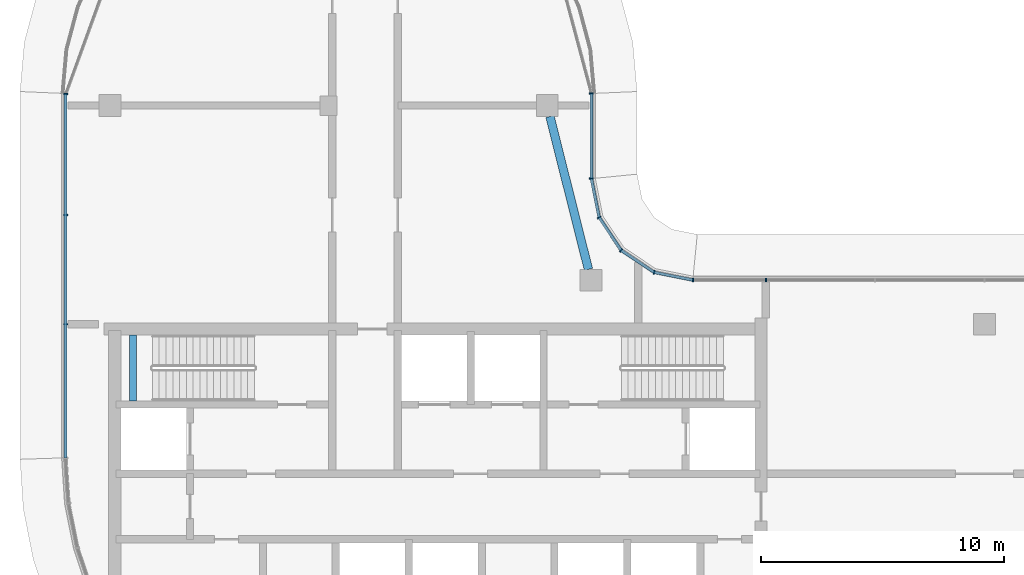
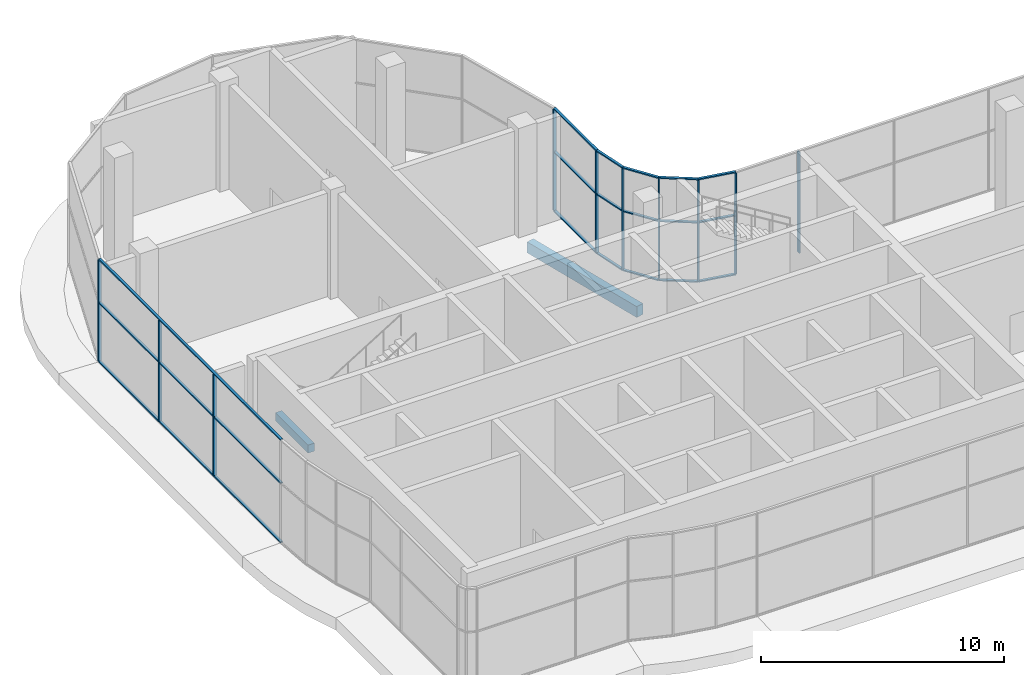
# One storey, part 3 of 23: 28 members, 2 beams, 4 elements without a shape of their own.
"""IFC4 building model written with IfcOpenShell, lengths in metres."""

import ifcopenshell
import ifcopenshell.guid

model = None  # the IFC model being written
_history = None  # IfcOwnerHistory: only IFC2X3 demands one
_inside = {}  # id of a spatial element -> (the spatial element, [elements in it])
_under = {}  # id of a project, library or spatial element -> (it, [spatial elements below it])
_declared = {}  # id of a project -> (the project, [libraries it declares])
_typed = {}  # id of a type object -> (the type object, [elements of that type])
_made_of = {}  # id of a material, layer set ... -> (it, [elements and type objects made of it])


def new_model(schema):
    """Start an empty IFC model of exactly this schema.

    Asked for "IFC4X3", IfcOpenShell would pick the latest addendum, in which some entities
    have other attributes; the version numbers below select the first issue.
    IFC2X3 requires an IfcOwnerHistory on every rooted entity: one is made here for all.
    """
    global model, _history
    if schema == "IFC4X3":
        model = ifcopenshell.file(schema_version=(4, 3, 0, 0))
    else:
        model = ifcopenshell.file(schema=schema)
    _inside.clear()
    _under.clear()
    _declared.clear()
    _typed.clear()
    _made_of.clear()
    _history = None
    if model.schema == "IFC2X3":
        org = make("IfcOrganization", Name="unknown")
        user = make(
            "IfcPersonAndOrganization",
            ThePerson=make("IfcPerson", FamilyName="unknown"),
            TheOrganization=org,
        )
        app = make(
            "IfcApplication",
            ApplicationDeveloper=org,
            Version="unknown",
            ApplicationFullName="unknown",
            ApplicationIdentifier="unknown",
        )
        _history = make(
            "IfcOwnerHistory",
            OwningUser=user,
            OwningApplication=app,
            ChangeAction="ADDED",
            CreationDate=0,
        )
    return model


def make(cls, **values):
    """One entity of the class cls with the attributes given. An attribute that is None is left unset."""
    return model.create_entity(
        cls, **{name: value for name, value in values.items() if value is not None}
    )


def rooted(cls, **values):
    """An entity with a GlobalId (a new one), such as an element, a storey or a relation."""
    return make(cls, GlobalId=ifcopenshell.guid.new(), OwnerHistory=_history, **values)


def si_unit(unit_type, name, prefix=None):
    """IfcSIUnit, for example si_unit("LENGTHUNIT", "METRE", prefix="MILLI")."""
    return make("IfcSIUnit", UnitType=unit_type, Prefix=prefix, Name=name)


def assignment(units):
    """IfcUnitAssignment: the units of a project."""
    return None if units is None else make("IfcUnitAssignment", Units=units)


def point(xyz):
    """IfcCartesianPoint."""
    return None if xyz is None else make("IfcCartesianPoint", Coordinates=xyz)


def direction(xyz):
    """IfcDirection."""
    return None if xyz is None else make("IfcDirection", DirectionRatios=xyz)


def frame(location, z_axis=None, x_axis=None):
    """IfcAxis2Placement3D, a coordinate frame: its origin and axes. An axis left out is left unset."""
    return make(
        "IfcAxis2Placement3D",
        Location=point(location),
        Axis=direction(z_axis),
        RefDirection=direction(x_axis),
    )


def frame_2d(location, x_axis=None):
    """IfcAxis2Placement2D, a coordinate frame in the plane: its origin and x axis."""
    return make(
        "IfcAxis2Placement2D", Location=point(location), RefDirection=direction(x_axis)
    )


def origin():
    """The frame at (0, 0, 0) with its axes left unset."""
    return frame((0.0, 0.0, 0.0))


def origin_2d():
    """The frame at (0, 0) in the plane with its x axis left unset."""
    return frame_2d((0.0, 0.0))


def place(relative_to, where):
    """IfcLocalPlacement: puts the frame where relative to a parent placement (None: the world)."""
    return make(
        "IfcLocalPlacement", PlacementRelTo=relative_to, RelativePlacement=where
    )


def context(
    kind, dimensions, precision=None, world=None, true_north=None, identifier=None
):
    """IfcGeometricRepresentationContext, for example the 3D "Model" context."""
    return make(
        "IfcGeometricRepresentationContext",
        ContextIdentifier=identifier,
        ContextType=kind,
        CoordinateSpaceDimension=dimensions,
        Precision=precision,
        WorldCoordinateSystem=world,
        TrueNorth=true_north,
    )


def subcontext(parent, identifier, kind, view, scale=None):
    """IfcGeometricRepresentationSubContext, for example "Body" below "Model"."""
    return make(
        "IfcGeometricRepresentationSubContext",
        ContextIdentifier=identifier,
        ContextType=kind,
        ParentContext=parent,
        TargetScale=scale,
        TargetView=view,
    )


def project(units=None, contexts=None):
    """IfcProject with its units and contexts."""
    return rooted(
        "IfcProject",
        Name="project",
        RepresentationContexts=contexts,
        UnitsInContext=assignment(units),
    )


def spatial(cls, under=None, at=None, **own):
    """A site, building, storey or space (cls), placed at a placement, below another one or the project."""
    s = rooted(cls, ObjectPlacement=at, **own)
    if under is not None:
        _under.setdefault(under.id(), (under, []))[1].append(s)
    return s


def profile(cls, at=None, kind="AREA", **sizes):
    """A parametric profile (cls). Its sizes go by their IFC names, for example OverallWidth=200.0."""
    return make(cls, ProfileType=kind, Position=at, **sizes)


def rectangle(**sizes):
    """IfcRectangleProfileDef."""
    return profile("IfcRectangleProfileDef", **sizes)


def extrude(swept, where, along, depth):
    """IfcExtrudedAreaSolid: the profile swept, set in the frame where, extruded along a direction by depth."""
    return make(
        "IfcExtrudedAreaSolid",
        SweptArea=swept,
        Position=where,
        ExtrudedDirection=direction(along),
        Depth=depth,
    )


def shape(context_of_items, identifier, shape_type, items):
    """IfcShapeRepresentation: the items that make up one representation, for example the "Body"."""
    return make(
        "IfcShapeRepresentation",
        ContextOfItems=context_of_items,
        RepresentationIdentifier=identifier,
        RepresentationType=shape_type,
        Items=items,
    )


def material(Name=None, Category=None):
    """IfcMaterial."""
    return make("IfcMaterial", Name=Name, Category=Category)


def material_profile(
    of_material, cross_section, Name=None, Category=None, Priority=None
):
    """IfcMaterialProfile: a cross section and its material."""
    return make(
        "IfcMaterialProfile",
        Name=Name,
        Material=of_material,
        Profile=cross_section,
        Priority=Priority,
        Category=Category,
    )


def profile_set(profiles, Name=None, composite=None):
    """IfcMaterialProfileSet."""
    return make(
        "IfcMaterialProfileSet",
        Name=Name,
        MaterialProfiles=profiles,
        CompositeProfile=composite,
    )


def made_of(thing, what):
    """Note that an element or type object is made of a material, layer set ...; save() writes the relation."""
    if what is not None:
        _made_of.setdefault(what.id(), (what, []))[1].append(thing)
    return thing


def type_object(cls, material=None, **own):
    """A type object (cls), such as IfcWallType, which elements share."""
    return made_of(rooted(cls, **own), material)


def element(
    cls,
    number,
    at=None,
    inside=None,
    cuts=None,
    type_object=None,
    material=None,
    context=None,
    identifier="Body",
    shape_type=None,
    held_by="IfcProductDefinitionShape",
    body=None,
    shapes=None,
    **own,
):
    """One element of the class cls, such as IfcWall. Its Tag is "e" and its number.

    at: its placement. inside: the storey or other place that contains it. cuts: it is an
    opening in that element (IfcRelVoidsElement). A single representation is given by context,
    identifier, shape_type and body (its items); several are given by shapes. held_by: the class
    of the entity that holds the representations. save() writes the other relations.
    """
    e = rooted(cls, Tag="e%d" % number, ObjectPlacement=at, **own)
    if body is not None:
        shapes = [shape(context, identifier, shape_type, body)]
    if shapes is not None:
        e.Representation = make(held_by, Representations=shapes)
    if inside is not None:
        _inside.setdefault(inside.id(), (inside, []))[1].append(e)
    if cuts is not None:
        rooted(
            "IfcRelVoidsElement", RelatingBuildingElement=cuts, RelatedOpeningElement=e
        )
    if type_object is not None:
        _typed.setdefault(type_object.id(), (type_object, []))[1].append(e)
    return made_of(e, material)


def aggregate(whole, parts):
    """IfcRelAggregates: a whole, such as a stair, and the parts it consists of."""
    return rooted("IfcRelAggregates", RelatingObject=whole, RelatedObjects=parts)


def save(model, path):
    """Write the relations noted so far, then the file.

    IfcRelAggregates (storeys below a building ...), IfcRelContainedInSpatialStructure (elements
    in a storey), IfcRelDefinesByType, IfcRelAssociatesMaterial and IfcRelDeclares: one each for
    every whole, place, type object, material and project.
    """
    for whole, parts in _under.values():
        aggregate(whole, parts)
    for where, things in _inside.values():
        rooted(
            "IfcRelContainedInSpatialStructure",
            RelatedElements=things,
            RelatingStructure=where,
        )
    for kind, things in _typed.values():
        rooted("IfcRelDefinesByType", RelatedObjects=things, RelatingType=kind)
    for what, things in _made_of.values():
        rooted("IfcRelAssociatesMaterial", RelatedObjects=things, RelatingMaterial=what)
    for by, libraries in _declared.values():
        rooted("IfcRelDeclares", RelatingContext=by, RelatedDefinitions=libraries)
    model.write(path)


model = new_model("IFC4")

# Units and contexts
model_context = context("Model", 3, precision=1e-05, world=origin(), true_north=direction((0.0, 1.0)))
body_context = subcontext(model_context, "Body", "Model", "MODEL_VIEW")
ifc_project = project(units=[si_unit("LENGTHUNIT", "METRE"), si_unit("AREAUNIT", "SQUARE_METRE"), si_unit("VOLUMEUNIT", "CUBIC_METRE"), si_unit("PLANEANGLEUNIT", "RADIAN"), si_unit("MASSUNIT", "GRAM", prefix="KILO")], contexts=[model_context])

# Site, building, storey
site_placement = place(None, origin())
site = spatial("IfcSite", under=ifc_project, at=site_placement, CompositionType="ELEMENT")
building_placement = place(site_placement, origin())
building = spatial("IfcBuilding", under=site, at=building_placement, Name="Ogive Portal Towers", CompositionType="ELEMENT")
storey_placement = place(building_placement, frame((0.0, 0.0, 249.39990234375)))
storey = spatial("IfcBuildingStorey", under=building, at=storey_placement, Name="L62", CompositionType="ELEMENT", Elevation=249.39990234375)

# Beam
ifc_material_1 = material(Name="Concrete C40/50", Category="concrete")
ifc_material_profile_1 = material_profile(ifc_material_1, rectangle(XDim=0.300048828125, YDim=0.39990234375, at=origin_2d()), Name="RC 300x400")
ifc_profile_set_1 = profile_set([ifc_material_profile_1], Name="Concrete C40/50")
beam_type_1 = type_object("IfcBeamType", Name="BEAM RC 300x400", PredefinedType="BEAM", material=ifc_profile_set_1)
beam_1_placement = place(storey_placement, frame((32.449951171875, 36.35009765625, 2.35009765625), z_axis=(0.0, 1.0, 0.0), x_axis=(-1.0, 0.0, 0.0)))
element("IfcBeam", 1, at=beam_1_placement, inside=storey, type_object=beam_type_1, Name="Landing beam L62", PredefinedType="BEAM", context=body_context, shape_type="SweptSolid", body=[
    extrude(rectangle(XDim=0.300048828125, YDim=0.39990234375, at=origin_2d()), origin(), (0.0, 0.0, 1.0), 2.699951171875),
])

# Curtain wall, members
ifc_material_2 = material(Name="Glass, clear low-iron insulated glazing", Category="glass")
curtain_wall_type = type_object("IfcCurtainWallType", Name="CW OBSERVATION WALL", PredefinedType="NOTDEFINED", material=ifc_material_2)
curtain_wall_1_placement = place(storey_placement, origin())
curtain_wall_1 = element("IfcCurtainWall", 2, at=curtain_wall_1_placement, inside=storey, type_object=curtain_wall_type, Name="A:L62:f13:cw0", PredefinedType="NOTDEFINED")
ifc_material_3 = material(Name="Aluminium 6063 anodised", Category="aluminium")
ifc_material_profile_2 = material_profile(ifc_material_3, rectangle(XDim=0.159912109375, YDim=0.06005859375, at=origin_2d()), Name="AL 60x160")
ifc_profile_set_2 = profile_set([ifc_material_profile_2], Name="Aluminium 6063 anodised")
member_type_1 = type_object("IfcMemberType", Name="CW MULLION 60x160", PredefinedType="MULLION", material=ifc_profile_set_2)
member_1_placement = place(storey_placement, frame((58.5, 41.320068359375, 0.06005859375), z_axis=(0.0, 0.0, 1.0), x_axis=(0.0, -1.0, 0.0)))
member_1 = element("IfcMember", 3, at=member_1_placement, type_object=member_type_1, Name="mullion", PredefinedType="MULLION", context=body_context, shape_type="SweptSolid", body=[
    extrude(rectangle(XDim=0.159912109375, YDim=0.06005859375, at=origin_2d()), origin(), (0.0, 0.0, 1.0), 5.080078125),
])
member_2_placement = place(storey_placement, frame((55.4921875, 41.320068359375, 0.06005859375), z_axis=(0.0, 0.0, 1.0), x_axis=(0.0, -1.0, 0.0)))
member_2 = element("IfcMember", 4, at=member_2_placement, type_object=member_type_1, Name="mullion", PredefinedType="MULLION", context=body_context, shape_type="SweptSolid", body=[
    extrude(rectangle(XDim=0.159912109375, YDim=0.06005859375, at=origin_2d()), origin(), (0.0, 0.0, 1.0), 5.080078125),
])
aggregate(curtain_wall_1, [member_1, member_2])

curtain_wall_2_placement = place(storey_placement, origin())
curtain_wall_2 = element("IfcCurtainWall", 5, at=curtain_wall_2_placement, inside=storey, type_object=curtain_wall_type, Name="A:L62:f18:cw0", PredefinedType="NOTDEFINED")
member_3_placement = place(storey_placement, frame((51.320068359375, 45.4921875, 0.06005859375), z_axis=(0.0, 0.0, 1.0), x_axis=(-1.0, 0.0, 0.0)))
member_3 = element("IfcMember", 6, at=member_3_placement, type_object=member_type_1, Name="mullion", PredefinedType="MULLION", context=body_context, shape_type="SweptSolid", body=[
    extrude(rectangle(XDim=0.159912109375, YDim=0.06005859375, at=origin_2d()), origin(), (0.0, 0.0, 1.0), 5.080078125),
])
member_4_placement = place(storey_placement, frame((51.320068359375, 48.989501953125, 0.06005859375), z_axis=(0.0, 0.0, 1.0), x_axis=(-1.0, 0.0, 0.0)))
member_4 = element("IfcMember", 7, at=member_4_placement, type_object=member_type_1, Name="mullion", PredefinedType="MULLION", context=body_context, shape_type="SweptSolid", body=[
    extrude(rectangle(XDim=0.159912109375, YDim=0.06005859375, at=origin_2d()), origin(), (0.0, 0.0, 1.0), 5.080078125),
])

curtain_wall_3_placement = place(storey_placement, origin())
curtain_wall_3 = element("IfcCurtainWall", 8, at=curtain_wall_3_placement, inside=storey, type_object=curtain_wall_type, Name="A:L62:f25:cw0", PredefinedType="NOTDEFINED")
member_5_placement = place(storey_placement, frame((29.679931640625, 48.98583984375, 0.06005859375), z_axis=(0.0, 0.0, 1.0), x_axis=(1.0, 0.0, 0.0)))
member_5 = element("IfcMember", 9, at=member_5_placement, type_object=member_type_1, Name="mullion", PredefinedType="MULLION", context=body_context, shape_type="SweptSolid", body=[
    extrude(rectangle(XDim=0.159912109375, YDim=0.06005859375, at=origin_2d()), origin(), (0.0, 0.0, 1.0), 5.080078125),
])
member_6_placement = place(storey_placement, frame((29.679931640625, 44.0, 0.06005859375), z_axis=(0.0, 0.0, 1.0), x_axis=(1.0, 0.0, 0.0)))
member_6 = element("IfcMember", 10, at=member_6_placement, type_object=member_type_1, Name="mullion", PredefinedType="MULLION", context=body_context, shape_type="SweptSolid", body=[
    extrude(rectangle(XDim=0.159912109375, YDim=0.06005859375, at=origin_2d()), origin(), (0.0, 0.0, 1.0), 5.080078125),
])
member_7_placement = place(storey_placement, frame((29.679931640625, 39.5, 0.06005859375), z_axis=(0.0, 0.0, 1.0), x_axis=(1.0, 0.0, 0.0)))
member_7 = element("IfcMember", 11, at=member_7_placement, type_object=member_type_1, Name="mullion", PredefinedType="MULLION", context=body_context, shape_type="SweptSolid", body=[
    extrude(rectangle(XDim=0.159912109375, YDim=0.06005859375, at=origin_2d()), origin(), (0.0, 0.0, 1.0), 5.080078125),
])

curtain_wall_4_placement = place(storey_placement, origin())
curtain_wall_4 = element("IfcCurtainWall", 12, at=curtain_wall_4_placement, inside=storey, type_object=curtain_wall_type, Name="A:L62:f14:cwa", PredefinedType="NOTDEFINED")
member_8_placement = place(storey_placement, frame((53.89990234375, 41.63671875, 0.06005859375), z_axis=(0.0, 0.0, 1.0), x_axis=(-0.195090322016, -0.980785280403, 0.0)))
member_8 = element("IfcMember", 13, at=member_8_placement, type_object=member_type_1, Name="mullion", PredefinedType="MULLION", context=body_context, shape_type="SweptSolid", body=[
    extrude(rectangle(XDim=0.159912109375, YDim=0.06005859375, at=origin_2d()), origin(), (0.0, 0.0, 1.0), 5.080078125),
])
member_9_placement = place(storey_placement, frame((52.543212890625, 42.543212890625, 0.06005859375), z_axis=(0.0, 0.0, 1.0), x_axis=(-0.55557023302, -0.831469612303, 0.0)))
member_9 = element("IfcMember", 14, at=member_9_placement, type_object=member_type_1, Name="mullion", PredefinedType="MULLION", context=body_context, shape_type="SweptSolid", body=[
    extrude(rectangle(XDim=0.159912109375, YDim=0.06005859375, at=origin_2d()), origin(), (0.0, 0.0, 1.0), 5.080078125),
])
member_10_placement = place(storey_placement, frame((51.63671875, 43.89990234375, 0.06005859375), z_axis=(0.0, 0.0, 1.0), x_axis=(-0.831469612303, -0.55557023302, 0.0)))
member_10 = element("IfcMember", 15, at=member_10_placement, type_object=member_type_1, Name="mullion", PredefinedType="MULLION", context=body_context, shape_type="SweptSolid", body=[
    extrude(rectangle(XDim=0.159912109375, YDim=0.06005859375, at=origin_2d()), origin(), (0.0, 0.0, 1.0), 5.080078125),
])

# Member
ifc_material_profile_3 = material_profile(ifc_material_3, rectangle(XDim=0.1201171875, YDim=0.06005859375, at=origin_2d()), Name="AL 120x60")
ifc_profile_set_3 = profile_set([ifc_material_profile_3], Name="Aluminium 6063 anodised")
member_type_2 = type_object("IfcMemberType", Name="CW TRANSOM 60x120", PredefinedType="USERDEFINED", material=ifc_profile_set_3)
member_11_placement = place(storey_placement, frame((51.320068359375, 45.4921875, 0.030029296875), z_axis=(0.0, 1.0, 0.0), x_axis=(-1.0, 0.0, 0.0)))
member_11 = element("IfcMember", 16, at=member_11_placement, type_object=member_type_2, Name="transom", ObjectType="TRANSOM", PredefinedType="USERDEFINED", context=body_context, shape_type="SweptSolid", body=[
    extrude(rectangle(XDim=0.1201171875, YDim=0.06005859375, at=origin_2d()), origin(), (0.0, 0.0, 1.0), 3.497314453125),
])

member_12_placement = place(storey_placement, frame((51.320068359375, 45.4921875, 3.0), z_axis=(0.0, 1.0, 0.0), x_axis=(-1.0, 0.0, 0.0)))
member_12 = element("IfcMember", 17, at=member_12_placement, type_object=member_type_2, Name="transom", ObjectType="TRANSOM", PredefinedType="USERDEFINED", context=body_context, shape_type="SweptSolid", body=[
    extrude(rectangle(XDim=0.1201171875, YDim=0.06005859375, at=origin_2d()), origin(), (0.0, 0.0, 1.0), 3.497314453125),
])

member_13_placement = place(storey_placement, frame((51.320068359375, 45.4921875, 5.170166015625), z_axis=(0.0, 1.0, 0.0), x_axis=(-1.0, 0.0, 0.0)))
member_13 = element("IfcMember", 18, at=member_13_placement, type_object=member_type_2, Name="transom", ObjectType="TRANSOM", PredefinedType="USERDEFINED", context=body_context, shape_type="SweptSolid", body=[
    extrude(rectangle(XDim=0.1201171875, YDim=0.06005859375, at=origin_2d()), origin(), (0.0, 0.0, 1.0), 3.497314453125),
])

aggregate(curtain_wall_2, [member_11, member_12, member_13, member_3, member_4])

member_14_placement = place(storey_placement, frame((29.679931640625, 48.98583984375, 0.030029296875), z_axis=(0.0, -1.0, 0.0), x_axis=(1.0, 0.0, 0.0)))
member_14 = element("IfcMember", 19, at=member_14_placement, type_object=member_type_2, Name="transom", ObjectType="TRANSOM", PredefinedType="USERDEFINED", context=body_context, shape_type="SweptSolid", body=[
    extrude(rectangle(XDim=0.1201171875, YDim=0.06005859375, at=origin_2d()), origin(), (0.0, 0.0, 1.0), 14.983154296875),
])

member_15_placement = place(storey_placement, frame((29.679931640625, 48.98583984375, 3.0), z_axis=(0.0, -1.0, 0.0), x_axis=(1.0, 0.0, 0.0)))
member_15 = element("IfcMember", 20, at=member_15_placement, type_object=member_type_2, Name="transom", ObjectType="TRANSOM", PredefinedType="USERDEFINED", context=body_context, shape_type="SweptSolid", body=[
    extrude(rectangle(XDim=0.1201171875, YDim=0.06005859375, at=origin_2d()), origin(), (0.0, 0.0, 1.0), 14.983154296875),
])

member_16_placement = place(storey_placement, frame((29.679931640625, 48.98583984375, 5.170166015625), z_axis=(0.0, -1.0, 0.0), x_axis=(1.0, 0.0, 0.0)))
member_16 = element("IfcMember", 21, at=member_16_placement, type_object=member_type_2, Name="transom", ObjectType="TRANSOM", PredefinedType="USERDEFINED", context=body_context, shape_type="SweptSolid", body=[
    extrude(rectangle(XDim=0.1201171875, YDim=0.06005859375, at=origin_2d()), origin(), (0.0, 0.0, 1.0), 14.983154296875),
])

aggregate(curtain_wall_3, [member_14, member_15, member_16, member_5, member_6, member_7])

member_17_placement = place(storey_placement, frame((55.4921875, 41.320068359375, 0.030029296875), z_axis=(-0.980794097614, 0.195045989667, 0.0), x_axis=(-0.195045989667, -0.980794097614, 0.0)))
member_17 = element("IfcMember", 22, at=member_17_placement, type_object=member_type_2, Name="transom", ObjectType="TRANSOM", PredefinedType="USERDEFINED", context=body_context, shape_type="SweptSolid", body=[
    extrude(rectangle(XDim=0.1201171875, YDim=0.06005859375, at=origin_2d()), origin(), (0.0, 0.0, 1.0), 1.62353515625),
])

member_18_placement = place(storey_placement, frame((55.4921875, 41.320068359375, 3.0), z_axis=(-0.980794097614, 0.195045989667, 0.0), x_axis=(-0.195045989667, -0.980794097614, 0.0)))
member_18 = element("IfcMember", 23, at=member_18_placement, type_object=member_type_2, Name="transom", ObjectType="TRANSOM", PredefinedType="USERDEFINED", context=body_context, shape_type="SweptSolid", body=[
    extrude(rectangle(XDim=0.1201171875, YDim=0.06005859375, at=origin_2d()), origin(), (0.0, 0.0, 1.0), 1.62353515625),
])

member_19_placement = place(storey_placement, frame((55.4921875, 41.320068359375, 5.170166015625), z_axis=(-0.980794097614, 0.195045989667, 0.0), x_axis=(-0.195045989667, -0.980794097614, 0.0)))
member_19 = element("IfcMember", 24, at=member_19_placement, type_object=member_type_2, Name="transom", ObjectType="TRANSOM", PredefinedType="USERDEFINED", context=body_context, shape_type="SweptSolid", body=[
    extrude(rectangle(XDim=0.1201171875, YDim=0.06005859375, at=origin_2d()), origin(), (0.0, 0.0, 1.0), 1.62353515625),
])

member_20_placement = place(storey_placement, frame((53.89990234375, 41.63671875, 0.030029296875), z_axis=(-0.83147436008, 0.555563127403, 0.0), x_axis=(-0.555563127403, -0.83147436008, 0.0)))
member_20 = element("IfcMember", 25, at=member_20_placement, type_object=member_type_2, Name="transom", ObjectType="TRANSOM", PredefinedType="USERDEFINED", context=body_context, shape_type="SweptSolid", body=[
    extrude(rectangle(XDim=0.1201171875, YDim=0.06005859375, at=origin_2d()), origin(), (0.0, 0.0, 1.0), 1.631591796875),
])

member_21_placement = place(storey_placement, frame((53.89990234375, 41.63671875, 3.0), z_axis=(-0.83147436008, 0.555563127403, 0.0), x_axis=(-0.555563127403, -0.83147436008, 0.0)))
member_21 = element("IfcMember", 26, at=member_21_placement, type_object=member_type_2, Name="transom", ObjectType="TRANSOM", PredefinedType="USERDEFINED", context=body_context, shape_type="SweptSolid", body=[
    extrude(rectangle(XDim=0.1201171875, YDim=0.06005859375, at=origin_2d()), origin(), (0.0, 0.0, 1.0), 1.631591796875),
])

member_22_placement = place(storey_placement, frame((53.89990234375, 41.63671875, 5.170166015625), z_axis=(-0.83147436008, 0.555563127403, 0.0), x_axis=(-0.555563127403, -0.83147436008, 0.0)))
member_22 = element("IfcMember", 27, at=member_22_placement, type_object=member_type_2, Name="transom", ObjectType="TRANSOM", PredefinedType="USERDEFINED", context=body_context, shape_type="SweptSolid", body=[
    extrude(rectangle(XDim=0.1201171875, YDim=0.06005859375, at=origin_2d()), origin(), (0.0, 0.0, 1.0), 1.631591796875),
])

member_23_placement = place(storey_placement, frame((52.543212890625, 42.543212890625, 0.030029296875), z_axis=(-0.555563127403, 0.83147436008, 0.0), x_axis=(-0.83147436008, -0.555563127403, 0.0)))
member_23 = element("IfcMember", 28, at=member_23_placement, type_object=member_type_2, Name="transom", ObjectType="TRANSOM", PredefinedType="USERDEFINED", context=body_context, shape_type="SweptSolid", body=[
    extrude(rectangle(XDim=0.1201171875, YDim=0.06005859375, at=origin_2d()), origin(), (0.0, 0.0, 1.0), 1.631591796875),
])

member_24_placement = place(storey_placement, frame((52.543212890625, 42.543212890625, 3.0), z_axis=(-0.555563127403, 0.83147436008, 0.0), x_axis=(-0.83147436008, -0.555563127403, 0.0)))
member_24 = element("IfcMember", 29, at=member_24_placement, type_object=member_type_2, Name="transom", ObjectType="TRANSOM", PredefinedType="USERDEFINED", context=body_context, shape_type="SweptSolid", body=[
    extrude(rectangle(XDim=0.1201171875, YDim=0.06005859375, at=origin_2d()), origin(), (0.0, 0.0, 1.0), 1.631591796875),
])

member_25_placement = place(storey_placement, frame((52.543212890625, 42.543212890625, 5.170166015625), z_axis=(-0.555563127403, 0.83147436008, 0.0), x_axis=(-0.83147436008, -0.555563127403, 0.0)))
member_25 = element("IfcMember", 30, at=member_25_placement, type_object=member_type_2, Name="transom", ObjectType="TRANSOM", PredefinedType="USERDEFINED", context=body_context, shape_type="SweptSolid", body=[
    extrude(rectangle(XDim=0.1201171875, YDim=0.06005859375, at=origin_2d()), origin(), (0.0, 0.0, 1.0), 1.631591796875),
])

member_26_placement = place(storey_placement, frame((51.63671875, 43.89990234375, 0.030029296875), z_axis=(-0.195045989667, 0.980794097614, 0.0), x_axis=(-0.980794097614, -0.195045989667, 0.0)))
member_26 = element("IfcMember", 31, at=member_26_placement, type_object=member_type_2, Name="transom", ObjectType="TRANSOM", PredefinedType="USERDEFINED", context=body_context, shape_type="SweptSolid", body=[
    extrude(rectangle(XDim=0.1201171875, YDim=0.06005859375, at=origin_2d()), origin(), (0.0, 0.0, 1.0), 1.62353515625),
])

member_27_placement = place(storey_placement, frame((51.63671875, 43.89990234375, 3.0), z_axis=(-0.195045989667, 0.980794097614, 0.0), x_axis=(-0.980794097614, -0.195045989667, 0.0)))
member_27 = element("IfcMember", 32, at=member_27_placement, type_object=member_type_2, Name="transom", ObjectType="TRANSOM", PredefinedType="USERDEFINED", context=body_context, shape_type="SweptSolid", body=[
    extrude(rectangle(XDim=0.1201171875, YDim=0.06005859375, at=origin_2d()), origin(), (0.0, 0.0, 1.0), 1.62353515625),
])

member_28_placement = place(storey_placement, frame((51.63671875, 43.89990234375, 5.170166015625), z_axis=(-0.195045989667, 0.980794097614, 0.0), x_axis=(-0.980794097614, -0.195045989667, 0.0)))
member_28 = element("IfcMember", 33, at=member_28_placement, type_object=member_type_2, Name="transom", ObjectType="TRANSOM", PredefinedType="USERDEFINED", context=body_context, shape_type="SweptSolid", body=[
    extrude(rectangle(XDim=0.1201171875, YDim=0.06005859375, at=origin_2d()), origin(), (0.0, 0.0, 1.0), 1.62353515625),
])

aggregate(curtain_wall_4, [member_17, member_18, member_19, member_20, member_21, member_22, member_23, member_24, member_25, member_26, member_27, member_28, member_8, member_9, member_10])

# Beam
ifc_material_4 = material(Name="Concrete C50/60", Category="concrete")
ifc_material_profile_4 = material_profile(ifc_material_4, rectangle(XDim=0.35009765625, YDim=0.550048828125, at=origin_2d()), Name="RC 350x550")
ifc_profile_set_4 = profile_set([ifc_material_profile_4], Name="Concrete C50/60")
beam_type_2 = type_object("IfcBeamType", Name="SPANDREL BEAM RC 350x550", PredefinedType="BEAM", material=ifc_profile_set_4)
beam_2_placement = place(storey_placement, frame((49.61328125, 48.050048828125, -0.574951171875), z_axis=(0.244129438789, -0.969742655098, 0.0), x_axis=(0.969742655098, 0.244129438789, 0.0)))
element("IfcBeam", 34, at=beam_2_placement, inside=storey, type_object=beam_type_2, Name="Spandrel beam L62", PredefinedType="BEAM", context=body_context, shape_type="SweptSolid", body=[
    extrude(rectangle(XDim=0.35009765625, YDim=0.550048828125, at=origin_2d()), origin(), (0.0, 0.0, 1.0), 6.486328125),
])

save(model, "model.ifc")
